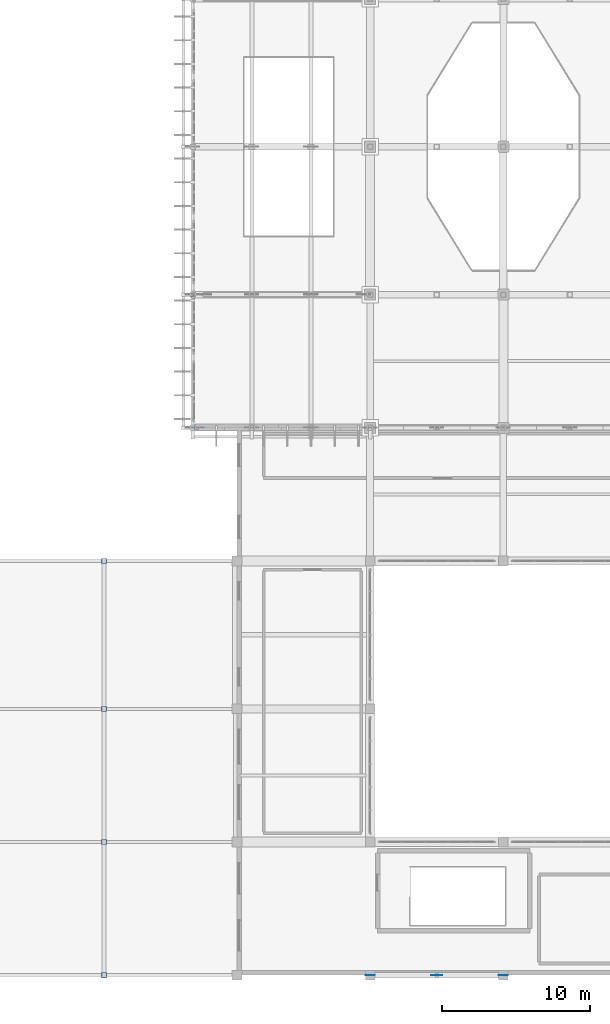
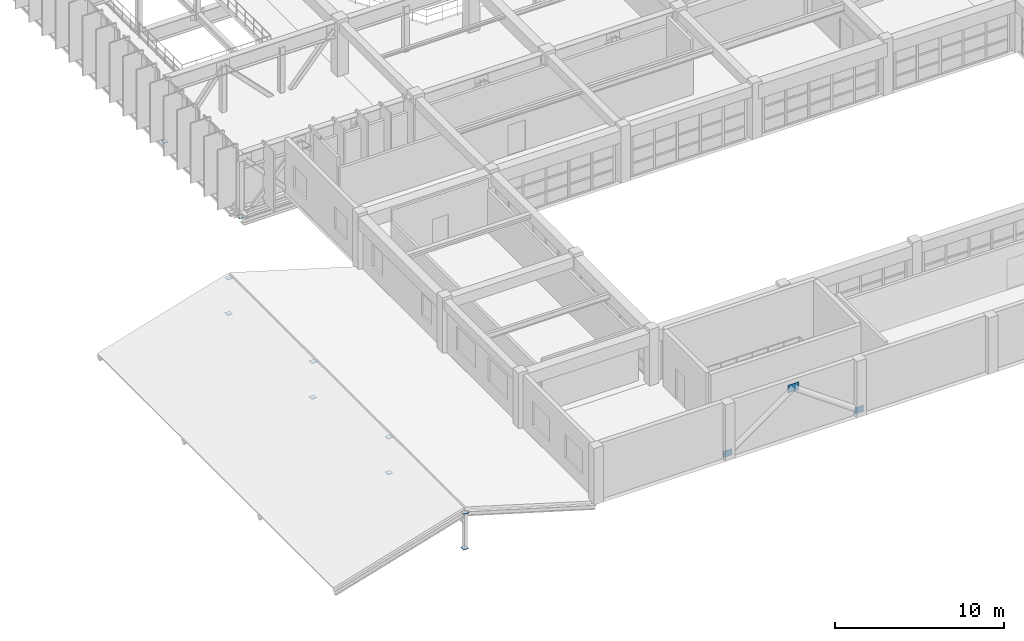
# One storey, part 100 of 130: 13 plates.
"""IFC4 building model written with IfcOpenShell, lengths in metres."""

from ifc_helpers import new_model, si_unit, direction, frame, origin, origin_2d, place, context, subcontext, project, spatial, rectangle, extrude, material, layer, layer_set, type_object, element, save


model = new_model("IFC4")

# Units and contexts
model_context = context("Model", 3, precision=1e-05, world=origin(), true_north=direction((0.0, 1.0)))
body_context = subcontext(model_context, "Body", "Model", "MODEL_VIEW")
ifc_project = project(units=[si_unit("LENGTHUNIT", "METRE"), si_unit("AREAUNIT", "SQUARE_METRE"), si_unit("VOLUMEUNIT", "CUBIC_METRE"), si_unit("PLANEANGLEUNIT", "RADIAN"), si_unit("MASSUNIT", "GRAM", prefix="KILO")], contexts=[model_context])

# Site, building, storey
site_placement = place(None, origin())
site = spatial("IfcSite", under=ifc_project, at=site_placement, CompositionType="ELEMENT")
building_placement = place(site_placement, origin())
building = spatial("IfcBuilding", under=site, at=building_placement, Name="Miravela Opera House", CompositionType="ELEMENT")
storey_placement = place(building_placement, frame((0.0, 0.0, 9.52001953125)))
storey = spatial("IfcBuildingStorey", under=building, at=storey_placement, Name="L02", CompositionType="ELEMENT", Elevation=9.52001953125)

# Plates
ifc_material = material(Name="Structural steel ASTM A572 Gr. 50", Category="steel")
ifc_layer_1 = layer(ifc_material, 0.02001953125)
ifc_layer_set_1 = layer_set([ifc_layer_1])
plate_type_1 = type_object("IfcPlateType", Name="STR-PL-CAP-350X350X20", PredefinedType="SHEET", material=ifc_layer_set_1)
for number, where, z_axis, x_axis, name in (
    (1, (15.0, 37.0, -0.819091796875), (0.0, 0.0, 1.0), (1.0, 0.0, 0.0), "HSS Welded End Cap Plate 003"),
    (2, (15.0, 46.0, -0.819091796875), (0.0, 0.0, 1.0), (1.0, 0.0, 0.0), "HSS Welded End Cap Plate 015"),
    (3, (9.0, 0.0, -0.263916015625), (0.0, 0.0, 1.0), (1.0, 0.0, 0.0), "HSS Welded End Cap Plate 078"),
    (4, (9.0, 0.0, 2.31396484375), (0.0, 0.0, 1.0), (1.0, 0.0, 0.0), "HSS Welded End Cap Plate 079"),
    (5, (9.0, 9.0, -0.263916015625), (0.0, 0.0, 1.0), (1.0, 0.0, 0.0), "HSS Welded End Cap Plate 080"),
    (6, (9.0, 9.0, 2.31396484375), (0.0, 0.0, 1.0), (1.0, 0.0, 0.0), "HSS Welded End Cap Plate 081"),
    (7, (9.0, 18.0, -0.263916015625), (0.0, 0.0, 1.0), (1.0, 0.0, 0.0), "HSS Welded End Cap Plate 082"),
    (8, (9.0, 18.0, 2.31396484375), (0.0, 0.0, 1.0), (1.0, 0.0, 0.0), "HSS Welded End Cap Plate 083"),
    (9, (9.0, 28.0, -0.263916015625), (0.0, 0.0, 1.0), (1.0, 0.0, 0.0), "HSS Welded End Cap Plate 084"),
    (10, (9.0, 28.0, 2.31396484375), (0.0, 0.0, 1.0), (1.0, 0.0, 0.0), "HSS Welded End Cap Plate 085"),
):
    element("IfcPlate", number, at=place(storey_placement, frame(where, z_axis=z_axis, x_axis=x_axis)), inside=storey, type_object=plate_type_1, Name=name, PredefinedType="SHEET", context=body_context, shape_type="SweptSolid", body=[
        extrude(rectangle(XDim=0.35009765625, YDim=0.35009765625, at=origin_2d()), origin(), (0.0, 0.0, 1.0), 0.02001953125),
    ])
ifc_layer_2 = layer(ifc_material, 0.01806640625)
ifc_layer_set_2 = layer_set([ifc_layer_2])
plate_type_2 = type_object("IfcPlateType", Name="STR-PL-GUS-600X450X18", PredefinedType="USERDEFINED", material=ifc_layer_set_2)
for number, where, z_axis, x_axis, name in (
    (11, (27.0, 0.0, 0.0751953125), (0.0, 0.0, 1.0), (1.0, 0.0, 0.0), "Brace Wall Cast-In Embed Plate 292"),
    (12, (36.0, 0.0, 0.0751953125), (0.0, 0.0, 1.0), (1.0, 0.0, 0.0), "Brace Wall Cast-In Embed Plate 293"),
):
    element("IfcPlate", number, at=place(storey_placement, frame(where, z_axis=z_axis, x_axis=x_axis)), inside=storey, type_object=plate_type_2, Name=name, ObjectType="GUSSET PLATE", PredefinedType="USERDEFINED", context=body_context, shape_type="SweptSolid", body=[
        extrude(rectangle(XDim=0.60009765625, YDim=0.01806640625, at=origin_2d()), origin(), (0.0, 0.0, 1.0), 0.449951171875),
    ])
ifc_layer_3 = layer(ifc_material, 0.02001953125)
ifc_layer_set_3 = layer_set([ifc_layer_3])
plate_type_3 = type_object("IfcPlateType", Name="STR-PL-GUS-750X550X20", PredefinedType="USERDEFINED", material=ifc_layer_set_3)
plate_placement = place(storey_placement, frame((31.5, 0.0, 3.21484375), z_axis=(0.0, 0.0, 1.0), x_axis=(1.0, 0.0, 0.0)))
element("IfcPlate", 13, at=plate_placement, inside=storey, type_object=plate_type_3, Name="Chevron Brace Apex Gusset Plate 291", ObjectType="GUSSET PLATE", PredefinedType="USERDEFINED", context=body_context, shape_type="SweptSolid", body=[
    extrude(rectangle(XDim=0.75, YDim=0.02001953125, at=origin_2d()), origin(), (0.0, 0.0, 1.0), 0.550048828125),
])

save(model, "model.ifc")
